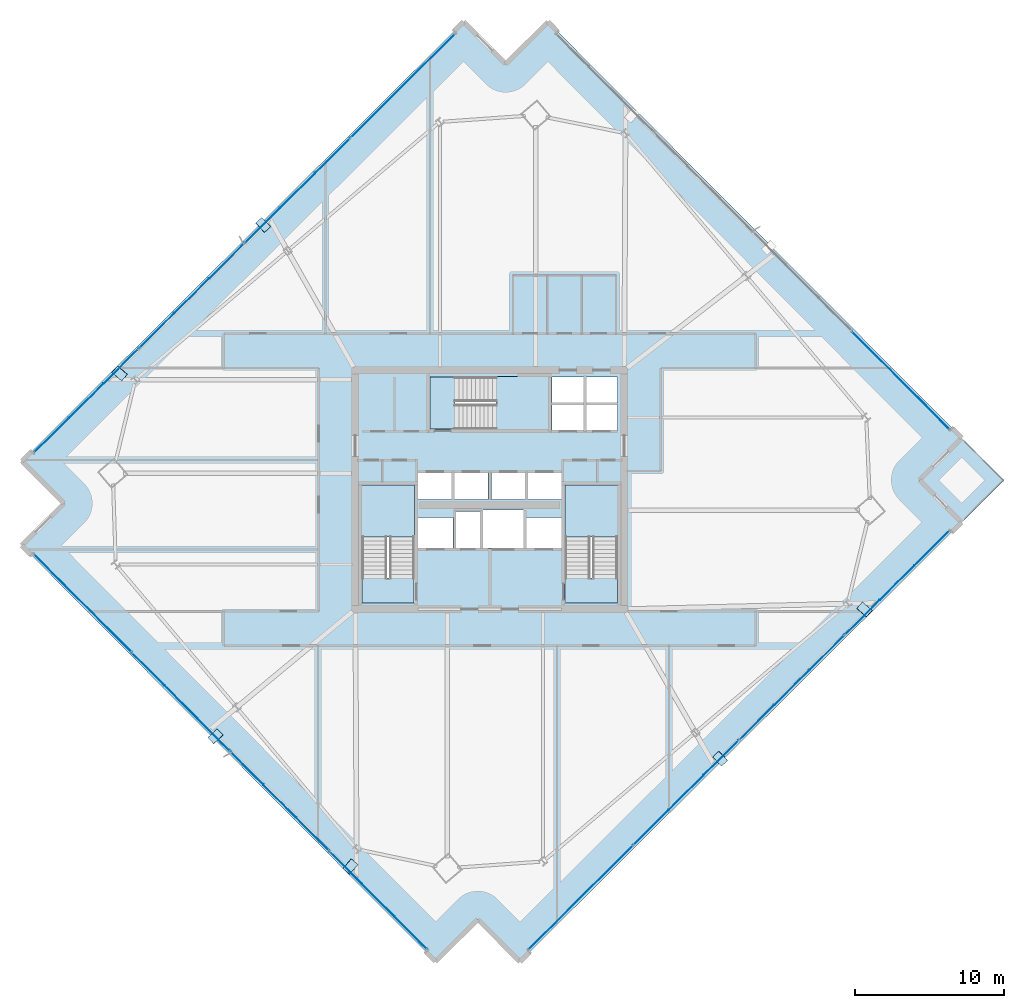
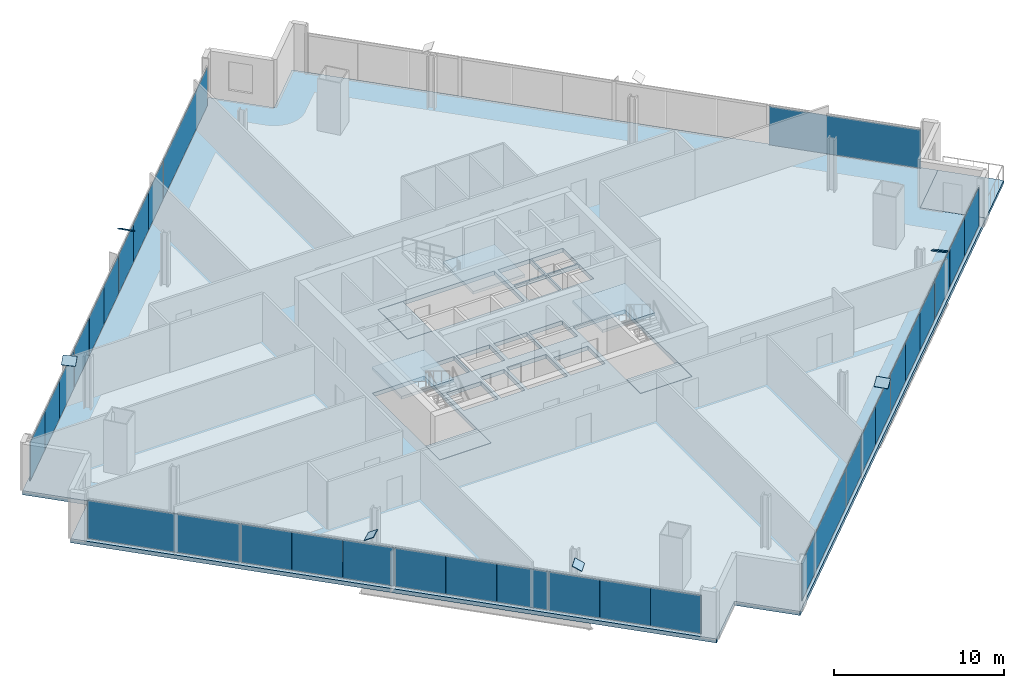
# One storey, part 23 of 32: 37 plates, 8 slabs, 7 elements without a shape of their own.
"""IFC4 building model written with IfcOpenShell, lengths in metres."""

from ifc_helpers import new_model, si_unit, direction, frame, origin, origin_2d, place, context, subcontext, project, spatial, polyline, rectangle, outline, extrude, source, transform, mapped, material, layer, layer_set, type_object, element, aggregate, save


model = new_model("IFC4")

# Units and contexts
model_context = context("Model", 3, precision=1e-05, world=origin(), true_north=direction((0.0, 1.0)))
body_context = subcontext(model_context, "Body", "Model", "MODEL_VIEW")
ifc_project = project(units=[si_unit("LENGTHUNIT", "METRE"), si_unit("AREAUNIT", "SQUARE_METRE"), si_unit("VOLUMEUNIT", "CUBIC_METRE"), si_unit("PLANEANGLEUNIT", "RADIAN"), si_unit("MASSUNIT", "GRAM", prefix="KILO")], contexts=[model_context])

# Site, building, storey
site_placement = place(None, origin())
site = spatial("IfcSite", under=ifc_project, at=site_placement, CompositionType="ELEMENT")
building_placement = place(site_placement, origin())
building = spatial("IfcBuilding", under=site, at=building_placement, Name="Haldenkirk Collegiate Tower", CompositionType="ELEMENT")
storey_placement = place(building_placement, frame((0.0, 0.0, 178.199951171875)))
storey = spatial("IfcBuildingStorey", under=building, at=storey_placement, Name="L44", CompositionType="ELEMENT", Elevation=178.199951171875)

# Slab
ifc_material_1 = material(Name="Concrete f'c 40 MPa", Category="concrete")
ifc_layer_1 = layer(ifc_material_1, 0.2900390625)
ifc_layer_set_1 = layer_set([ifc_layer_1], Name="Concrete f'c 40 MPa")
slab_type_1 = type_object("IfcSlabType", Name="SLB-FLR-290", PredefinedType="FLOOR", material=ifc_layer_set_1)
slab_1_placement = place(storey_placement, frame((0.0, 0.0, -0.2900390625)))
element("IfcSlab", 1, at=slab_1_placement, inside=storey, type_object=slab_type_1, Name="L44 composite structural floor slab", PredefinedType="FLOOR", context=body_context, shape_type="SweptSolid", body=[
    extrude(outline(polyline([(38.02099609375, -5.595458984375), (67.58447265625, 23.813720703125), (64.763427734375, 26.6494140625), (67.59912109375, 29.470458984375), (39.900390625, 57.314697265625), (37.064453125, 54.49365234375), (34.243408203125, 57.32958984375), (4.68017578125, 27.92041015625), (7.501220703125, 25.084716796875), (4.665283203125, 22.263671875), (32.364013671875, -5.58056640625), (35.199951171875, -2.759521484375), (38.02099609375, -5.595458984375)]), holes=[polyline([(27.449951171875, 18.39990234375), (30.949951171875, 18.39990234375), (30.949951171875, 26.300048828125), (27.449951171875, 26.300048828125), (27.449951171875, 18.39990234375)]), polyline([(41.050048828125, 18.39990234375), (44.550048828125, 18.39990234375), (44.550048828125, 26.300048828125), (41.050048828125, 26.300048828125), (41.050048828125, 18.39990234375)]), polyline([(32.0, 30.050048828125), (39.89990234375, 30.050048828125), (39.89990234375, 33.550048828125), (32.0, 33.550048828125), (32.0, 30.050048828125)]), polyline([(33.75, 22.10009765625), (35.35009765625, 22.10009765625), (35.35009765625, 24.550048828125), (33.75, 24.550048828125), (33.75, 22.10009765625)]), polyline([(40.14990234375, 29.949951171875), (42.320068359375, 29.949951171875), (42.320068359375, 31.699951171875), (40.14990234375, 31.699951171875), (40.14990234375, 29.949951171875)]), polyline([(42.419921875, 29.949951171875), (44.550048828125, 29.949951171875), (44.550048828125, 31.699951171875), (42.419921875, 31.699951171875), (42.419921875, 29.949951171875)]), polyline([(40.14990234375, 31.800048828125), (42.320068359375, 31.800048828125), (42.320068359375, 33.550048828125), (40.14990234375, 33.550048828125), (40.14990234375, 31.800048828125)]), polyline([(42.419921875, 31.800048828125), (44.550048828125, 31.800048828125), (44.550048828125, 33.550048828125), (42.419921875, 33.550048828125), (42.419921875, 31.800048828125)]), polyline([(31.199951171875, 25.35009765625), (33.47998046875, 25.35009765625), (33.47998046875, 27.14990234375), (31.199951171875, 27.14990234375), (31.199951171875, 25.35009765625)]), polyline([(33.60009765625, 25.35009765625), (35.8798828125, 25.35009765625), (35.8798828125, 27.14990234375), (33.60009765625, 27.14990234375), (33.60009765625, 25.35009765625)]), polyline([(36.1201171875, 25.35009765625), (38.39990234375, 25.35009765625), (38.39990234375, 27.14990234375), (36.1201171875, 27.14990234375), (36.1201171875, 25.35009765625)]), polyline([(38.52001953125, 25.35009765625), (40.800048828125, 25.35009765625), (40.800048828125, 27.14990234375), (38.52001953125, 27.14990234375), (38.52001953125, 25.35009765625)]), polyline([(31.199951171875, 22.10009765625), (33.550048828125, 22.10009765625), (33.550048828125, 24.14990234375), (31.199951171875, 24.14990234375), (31.199951171875, 22.10009765625)]), polyline([(38.449951171875, 22.10009765625), (40.800048828125, 22.10009765625), (40.800048828125, 24.14990234375), (38.449951171875, 24.14990234375), (38.449951171875, 22.10009765625)]), polyline([(35.550048828125, 22.10009765625), (38.25, 22.10009765625), (38.25, 24.64990234375), (35.550048828125, 24.64990234375), (35.550048828125, 22.10009765625)])]), origin(), (0.0, 0.0, 1.0), 0.2900390625),
])

# Stair, slab
stair_type = type_object("IfcStairType", Name="STR-DOGLEG-1650", PredefinedType="HALF_TURN_STAIR", material=ifc_material_1)
stair_1_placement = place(storey_placement, origin())
stair_1 = element("IfcStair", 2, at=stair_1_placement, inside=storey, type_object=stair_type, Name="L44 Core Exit Stair ST-1", PredefinedType="HALF_TURN_STAIR")
ifc_layer_2 = layer(ifc_material_1, 0.199951171875)
ifc_layer_set_2 = layer_set([ifc_layer_2], Name="Concrete f'c 40 MPa")
slab_type_2 = type_object("IfcSlabType", Name="SLB-LANDING-200", PredefinedType="LANDING", material=ifc_layer_set_2)
slab_2_placement = place(storey_placement, frame((0.0, 0.0, 1.675048828125)))
slab_2 = element("IfcSlab", 3, at=slab_2_placement, type_object=slab_type_2, Name="ST-1 landing 1", PredefinedType="LANDING", context=body_context, shape_type="SweptSolid", body=[
    extrude(outline(polyline([(30.97509765625, 22.824951171875), (27.425048828125, 22.824951171875), (27.425048828125, 26.324951171875), (30.97509765625, 26.324951171875), (30.97509765625, 22.824951171875)])), origin(), (0.0, 0.0, 1.0), 0.199951171875),
])
aggregate(stair_1, [slab_2])

stair_2_placement = place(storey_placement, origin())
stair_2 = element("IfcStair", 4, at=stair_2_placement, inside=storey, type_object=stair_type, Name="L44 Core Exit Stair ST-2", PredefinedType="HALF_TURN_STAIR")
slab_3_placement = place(storey_placement, frame((0.0, 0.0, 1.675048828125)))
slab_3 = element("IfcSlab", 5, at=slab_3_placement, type_object=slab_type_2, Name="ST-2 landing 1", PredefinedType="LANDING", context=body_context, shape_type="SweptSolid", body=[
    extrude(outline(polyline([(44.574951171875, 22.824951171875), (41.02490234375, 22.824951171875), (41.02490234375, 26.324951171875), (44.574951171875, 26.324951171875), (44.574951171875, 22.824951171875)])), origin(), (0.0, 0.0, 1.0), 0.199951171875),
])
aggregate(stair_2, [slab_3])

stair_3_placement = place(storey_placement, origin())
stair_3 = element("IfcStair", 6, at=stair_3_placement, inside=storey, type_object=stair_type, Name="L44 Core Exit Stair ST-3", PredefinedType="HALF_TURN_STAIR")
slab_4_placement = place(storey_placement, frame((0.0, 0.0, 1.675048828125)))
slab_4 = element("IfcSlab", 7, at=slab_4_placement, type_object=slab_type_2, Name="ST-3 landing 1", PredefinedType="LANDING", context=body_context, shape_type="SweptSolid", body=[
    extrude(outline(polyline([(36.425048828125, 30.02490234375), (36.425048828125, 33.574951171875), (39.925048828125, 33.574951171875), (39.925048828125, 30.02490234375), (36.425048828125, 30.02490234375)])), origin(), (0.0, 0.0, 1.0), 0.199951171875),
])
aggregate(stair_3, [slab_4])

# Slabs
ifc_layer_3 = layer(ifc_material_1, 0.25)
ifc_layer_set_3 = layer_set([ifc_layer_3], Name="Concrete f'c 40 MPa")
slab_type_3 = type_object("IfcSlabType", Name="SLB-STAIRLAND-250", PredefinedType="LANDING", material=ifc_layer_set_3)
slab_5_placement = place(storey_placement, frame((0.0, 0.0, -0.25)))
element("IfcSlab", 8, at=slab_5_placement, inside=storey, type_object=slab_type_3, Name="L44 stair ST1 structural floor landing slab", PredefinedType="LANDING", context=body_context, shape_type="SweptSolid", body=[
    extrude(outline(polyline([(27.4599609375, 18.409912109375), (30.93994140625, 18.409912109375), (30.93994140625, 20.080078125), (27.4599609375, 20.080078125), (27.4599609375, 18.409912109375)])), origin(), (0.0, 0.0, 1.0), 0.25),
])
slab_6_placement = place(storey_placement, frame((0.0, 0.0, -0.25)))
element("IfcSlab", 9, at=slab_6_placement, inside=storey, type_object=slab_type_3, Name="L44 stair ST2 structural floor landing slab", PredefinedType="LANDING", context=body_context, shape_type="SweptSolid", body=[
    extrude(outline(polyline([(41.06005859375, 18.409912109375), (44.5400390625, 18.409912109375), (44.5400390625, 20.080078125), (41.06005859375, 20.080078125), (41.06005859375, 18.409912109375)])), origin(), (0.0, 0.0, 1.0), 0.25),
])
slab_7_placement = place(storey_placement, frame((0.0, 0.0, -0.25)))
element("IfcSlab", 10, at=slab_7_placement, inside=storey, type_object=slab_type_3, Name="L44 stair ST3 structural floor landing slab", PredefinedType="LANDING", context=body_context, shape_type="SweptSolid", body=[
    extrude(outline(polyline([(32.010009765625, 30.06005859375), (33.679931640625, 30.06005859375), (33.679931640625, 33.5400390625), (32.010009765625, 33.5400390625), (32.010009765625, 30.06005859375)])), origin(), (0.0, 0.0, 1.0), 0.25),
])
ifc_layer_4 = layer(ifc_material_1, 0.22998046875)
ifc_layer_set_4 = layer_set([ifc_layer_4], Name="Concrete f'c 40 MPa")
slab_type_4 = type_object("IfcSlabType", Name="SLB-TERR-SPIRAL-230", PredefinedType="FLOOR", material=ifc_layer_set_4)
slab_8_placement = place(storey_placement, frame((0.0, 0.0, -0.22998046875)))
element("IfcSlab", 11, at=slab_8_placement, inside=storey, type_object=slab_type_4, Name="L44 spiralling corner terrace slab", PredefinedType="FLOOR", context=body_context, shape_type="SweptSolid", body=[
    extrude(outline(polyline([(67.58447265625, 23.813720703125), (70.420166015625, 26.634765625), (67.59912109375, 29.470458984375), (64.763427734375, 26.6494140625), (67.58447265625, 23.813720703125)])), origin(), (0.0, 0.0, 1.0), 0.22998046875),
])

# Plates
ifc_material_2 = material(Name="Steel ASTM A572 Grade 50", Category="steel")
ifc_layer_5 = layer(ifc_material_2, 0.034912109375)
ifc_layer_set_5 = layer_set([ifc_layer_5], Name="Steel ASTM A572 Grade 50")
plate_type_1 = type_object("IfcPlateType", Name="PLT-CAP-EXT-760X600", PredefinedType="USERDEFINED", material=ifc_layer_set_5)
shared_shape_1 = source(origin(), body_context, "Body", "SweptSolid", [
    extrude(rectangle(XDim=0.860107421875, YDim=0.659912109375, at=origin_2d()), origin(), (0.0, 0.0, 1.0), 0.034912109375),
])
for number, where, z_axis, x_axis, name in (
    (12, (51.434326171875, 8.001708984375, 3.447509765625), (-0.399637969871, -0.376058971649, 0.835983936975), (0.685296655822, -0.728264027341, 4.10393e-07), "Perimeter Mega Brace Z3 L42-L44 SL end cap plate 2"),
    (13, (61.068603515625, 17.978271484375, 3.447509765625), (0.327669864224, 0.378433843189, 0.865690641285), (-0.755991865251, 0.654581010781, 1.66633e-07), "Perimeter Mega Brace Z3 L42-L44 SR end cap plate 2"),
    (14, (20.818115234375, 43.719482421875, 3.447509765625), (0.397458172423, 0.373980162238, 0.837953363516), (-0.685269846632, 0.728289253866, 4.38619e-07), "Perimeter Mega Brace Z3 L42-L44 NL end cap plate 2"),
    (15, (11.23193359375, 33.792724609375, 3.447509765625), (-0.327345081791, -0.377839094408, 0.866073216399), (0.755803123002, -0.654798930406, -2.30658e-07), "Perimeter Mega Brace Z3 L42-L44 NR end cap plate 2"),
    (16, (17.646240234375, 9.484130859375, 3.447509765625), (-0.347803868464, 0.372158859254, 0.860540674553), (-0.730609021231, -0.682796058935, -4.8252e-08), "Perimeter Mega Brace Z3 L42-L44 WL end cap plate 2"),
    (17, (26.658447265625, 0.78125, 3.447509765625), (0.351793908045, -0.302355920968, 0.885901768436), (0.65180839718, 0.758383684797, -4.80727e-07), "Perimeter Mega Brace Z3 L42-L44 WR end cap plate 2"),
):
    element("IfcPlate", number, at=place(storey_placement, frame(where, z_axis=z_axis, x_axis=x_axis)), inside=storey, type_object=plate_type_1, Name=name, ObjectType="END CAP PLATE", PredefinedType="USERDEFINED", context=body_context, shape_type="MappedRepresentation", body=[
        mapped(shared_shape_1, transform((0.0, 0.0, 0.0), x_axis=(1.0, 0.0, 0.0), y_axis=(0.0, 1.0, 0.0), z_axis=(0.0, 0.0, 1.0), scale=1.0)),
    ])

# Curtain wall, plates
ifc_material_3 = material(Name="Anodised architectural bronze aluminium", Category="aluminium")
curtain_wall_type_1 = type_object("IfcCurtainWallType", Name="CW-SYS2-CONCAVE", PredefinedType="USERDEFINED", material=ifc_material_3)
curtain_wall_1_placement = place(storey_placement, origin())
curtain_wall_1 = element("IfcCurtainWall", 18, at=curtain_wall_1_placement, inside=storey, type_object=curtain_wall_type_1, Name="L44 South concave recessed bronze-anodised curtain wall", ObjectType="UNITISED CURTAIN WALL", PredefinedType="USERDEFINED")
ifc_material_4 = material(Name="Low-E argon triple insulating glass", Category="glass")
ifc_layer_6 = layer(ifc_material_4, 0.0419921875)
ifc_layer_set_6 = layer_set([ifc_layer_6], Name="Low-E argon triple insulating glass")
plate_type_2 = type_object("IfcPlateType", Name="CW-PNL-02", PredefinedType="CURTAIN_PANEL", material=ifc_layer_set_6)
shared_shape_2 = source(origin(), body_context, "Body", "SweptSolid", [
    extrude(rectangle(XDim=9.862548828125, YDim=0.0419921875, at=origin_2d()), origin(), (0.0, 0.0, 1.0), 2.760986328125),
])
plate_1_placement = place(storey_placement, frame((42.081298828125, -1.302490234375, 0.0751953125), z_axis=(0.0, 0.0, 1.0), x_axis=(-0.708953983805, -0.705254740393, 0.0)))
plate_1 = element("IfcPlate", 19, at=plate_1_placement, type_object=plate_type_2, Name="CW-02 panel 4.1", PredefinedType="CURTAIN_PANEL", context=body_context, shape_type="MappedRepresentation", body=[
    mapped(shared_shape_2, transform((0.0, 0.0, 0.0), x_axis=(1.0, 0.0, 0.0), y_axis=(0.0, 1.0, 0.0), z_axis=(0.0, 0.0, 1.0), scale=1.0)),
])
ifc_material_5 = material(Name="Bronze-anodised insulated aluminium spandrel panel", Category="aluminium")
ifc_layer_7 = layer(ifc_material_5, 0.0419921875)
ifc_layer_set_7 = layer_set([ifc_layer_7], Name="Bronze-anodised insulated aluminium spandrel panel")
plate_type_3 = type_object("IfcPlateType", Name="CW-SPD-02", PredefinedType="CURTAIN_PANEL", material=ifc_layer_set_7)
shared_shape_3 = source(origin(), body_context, "Body", "SweptSolid", [
    extrude(rectangle(XDim=3.28759765625, YDim=0.0419921875, at=origin_2d()), origin(), (0.0, 0.0, 1.0), 2.760986328125),
])
plate_2_placement = place(storey_placement, frame((58.5556640625, 15.0859375, 0.0751953125), z_axis=(0.0, 0.0, 1.0), x_axis=(-0.708953983805, -0.705254740393, 0.0)))
plate_2 = element("IfcPlate", 20, at=plate_2_placement, type_object=plate_type_3, Name="CW-02 spandrel panel 2.1a", PredefinedType="CURTAIN_PANEL", context=body_context, shape_type="MappedRepresentation", body=[
    mapped(shared_shape_3, transform((0.0, 0.0, 0.0), x_axis=(1.0, 0.0, 0.0), y_axis=(0.0, 1.0, 0.0), z_axis=(0.0, 0.0, 1.0), scale=1.0)),
])
plate_3_placement = place(storey_placement, frame((53.86767578125, 10.422607421875, 0.0751953125), z_axis=(0.0, 0.0, 1.0), x_axis=(-0.708953983805, -0.705254740393, 0.0)))
plate_3 = element("IfcPlate", 21, at=plate_3_placement, type_object=plate_type_3, Name="CW-02 spandrel panel 2.1c", PredefinedType="CURTAIN_PANEL", context=body_context, shape_type="MappedRepresentation", body=[
    mapped(shared_shape_3, transform((0.0, 0.0, 0.0), x_axis=(1.0, 0.0, 0.0), y_axis=(0.0, 1.0, 0.0), z_axis=(0.0, 0.0, 1.0), scale=1.0)),
])
plate_4_placement = place(storey_placement, frame((51.48388671875, 8.051025390625, 0.0751953125), z_axis=(0.0, 0.0, 1.0), x_axis=(-0.708953983805, -0.705254740393, 0.0)))
plate_4 = element("IfcPlate", 22, at=plate_4_placement, type_object=plate_type_3, Name="CW-02 spandrel panel 3.1a", PredefinedType="CURTAIN_PANEL", context=body_context, shape_type="MappedRepresentation", body=[
    mapped(shared_shape_3, transform((0.0, 0.0, 0.0), x_axis=(1.0, 0.0, 0.0), y_axis=(0.0, 1.0, 0.0), z_axis=(0.0, 0.0, 1.0), scale=1.0)),
])
plate_5_placement = place(storey_placement, frame((46.7958984375, 3.387451171875, 0.0751953125), z_axis=(0.0, 0.0, 1.0), x_axis=(-0.708953983805, -0.705254740393, 0.0)))
plate_5 = element("IfcPlate", 23, at=plate_5_placement, type_object=plate_type_2, Name="CW-02 panel 3.1c", PredefinedType="CURTAIN_PANEL", context=body_context, shape_type="MappedRepresentation", body=[
    mapped(shared_shape_3, transform((0.0, 0.0, 0.0), x_axis=(1.0, 0.0, 0.0), y_axis=(0.0, 1.0, 0.0), z_axis=(0.0, 0.0, 1.0), scale=1.0)),
])
shared_shape_4 = source(origin(), body_context, "Body", "SweptSolid", [
    extrude(rectangle(XDim=3.27490234375, YDim=0.0419921875, at=origin_2d()), origin(), (0.0, 0.0, 1.0), 2.760986328125),
])
plate_6_placement = place(storey_placement, frame((65.605224609375, 22.098876953125, 0.0751953125), z_axis=(0.0, 0.0, 1.0), x_axis=(-0.708953983805, -0.705254740393, 0.0)))
plate_6 = element("IfcPlate", 24, at=plate_6_placement, type_object=plate_type_2, Name="CW-02 panel 1.1a", PredefinedType="CURTAIN_PANEL", context=body_context, shape_type="MappedRepresentation", body=[
    mapped(shared_shape_4, transform((0.0, 0.0, 0.0), x_axis=(1.0, 0.0, 0.0), y_axis=(0.0, 1.0, 0.0), z_axis=(0.0, 0.0, 1.0), scale=1.0)),
])
plate_7_placement = place(storey_placement, frame((60.93505859375, 17.452880859375, 0.0751953125), z_axis=(0.0, 0.0, 1.0), x_axis=(-0.708953983805, -0.705254740393, 0.0)))
plate_7 = element("IfcPlate", 25, at=plate_7_placement, type_object=plate_type_3, Name="CW-02 spandrel panel 1.1c", PredefinedType="CURTAIN_PANEL", context=body_context, shape_type="MappedRepresentation", body=[
    mapped(shared_shape_4, transform((0.0, 0.0, 0.0), x_axis=(1.0, 0.0, 0.0), y_axis=(0.0, 1.0, 0.0), z_axis=(0.0, 0.0, 1.0), scale=1.0)),
])
plate_8_placement = place(storey_placement, frame((56.211669921875, 12.754150390625, 0.0751953125), z_axis=(0.0, 0.0, 1.0), x_axis=(-0.708953983805, -0.705254740393, 0.0)))
plate_8 = element("IfcPlate", 26, at=plate_8_placement, type_object=plate_type_2, Name="CW-02 panel 2.1b", PredefinedType="CURTAIN_PANEL", context=body_context, shape_type="MappedRepresentation", body=[
    mapped(shared_shape_4, transform((0.0, 0.0, 0.0), x_axis=(1.0, 0.0, 0.0), y_axis=(0.0, 1.0, 0.0), z_axis=(0.0, 0.0, 1.0), scale=1.0)),
])
plate_9_placement = place(storey_placement, frame((49.139892578125, 5.71923828125, 0.0751953125), z_axis=(0.0, 0.0, 1.0), x_axis=(-0.708953983805, -0.705254740393, 0.0)))
plate_9 = element("IfcPlate", 27, at=plate_9_placement, type_object=plate_type_2, Name="CW-02 panel 3.1b", PredefinedType="CURTAIN_PANEL", context=body_context, shape_type="MappedRepresentation", body=[
    mapped(shared_shape_4, transform((0.0, 0.0, 0.0), x_axis=(1.0, 0.0, 0.0), y_axis=(0.0, 1.0, 0.0), z_axis=(0.0, 0.0, 1.0), scale=1.0)),
])

# Curtain wall, plate
curtain_wall_type_2 = type_object("IfcCurtainWallType", Name="CW-SYS1-CONVEX-LOW", PredefinedType="USERDEFINED", material=ifc_material_3)
curtain_wall_2_placement = place(storey_placement, origin())
curtain_wall_2 = element("IfcCurtainWall", 28, at=curtain_wall_2_placement, inside=storey, type_object=curtain_wall_type_2, Name="L44 Lower tower convex bronze-framed unitised curtain wall", ObjectType="UNITISED CURTAIN WALL", PredefinedType="USERDEFINED")
ifc_layer_8 = layer(ifc_material_4, 0.0439453125)
ifc_layer_set_8 = layer_set([ifc_layer_8], Name="Low-E argon triple insulating glass")
plate_type_4 = type_object("IfcPlateType", Name="CW-PNL-1A", PredefinedType="CURTAIN_PANEL", material=ifc_layer_set_8)
shared_shape_5 = source(origin(), body_context, "Body", "SweptSolid", [
    extrude(rectangle(XDim=9.248779296875, YDim=0.0439453125, at=origin_2d()), origin(), (0.0, 0.0, 1.0), 2.7509765625),
])
plate_10_placement = place(storey_placement, frame((63.51904296875, 33.31689453125, 0.080078125), z_axis=(0.0, 0.0, 1.0), x_axis=(0.705255127772, -0.708953598447, 0.0)))
plate_10 = element("IfcPlate", 29, at=plate_10_placement, type_object=plate_type_4, Name="CW-1A panel 4.1", PredefinedType="CURTAIN_PANEL", context=body_context, shape_type="MappedRepresentation", body=[
    mapped(shared_shape_5, transform((0.0, 0.0, 0.0), x_axis=(1.0, 0.0, 0.0), y_axis=(0.0, 1.0, 0.0), z_axis=(0.0, 0.0, 1.0), scale=1.0)),
])
aggregate(curtain_wall_2, [plate_10])

# Curtain wall, plates
curtain_wall_3_placement = place(storey_placement, origin())
curtain_wall_3 = element("IfcCurtainWall", 30, at=curtain_wall_3_placement, inside=storey, type_object=curtain_wall_type_2, Name="L44 Lower tower convex bronze-framed unitised curtain wall", ObjectType="UNITISED CURTAIN WALL", PredefinedType="USERDEFINED")
plate_11_placement = place(storey_placement, frame((8.745361328125, 18.417236328125, 0.080078125), z_axis=(0.0, 0.0, 1.0), x_axis=(-0.705255127772, 0.708953598447, 0.0)))
plate_11 = element("IfcPlate", 31, at=plate_11_placement, type_object=plate_type_4, Name="CW-1A panel 4.1", PredefinedType="CURTAIN_PANEL", context=body_context, shape_type="MappedRepresentation", body=[
    mapped(shared_shape_5, transform((0.0, 0.0, 0.0), x_axis=(1.0, 0.0, 0.0), y_axis=(0.0, 1.0, 0.0), z_axis=(0.0, 0.0, 1.0), scale=1.0)),
])
ifc_layer_9 = layer(ifc_material_5, 0.0439453125)
ifc_layer_set_9 = layer_set([ifc_layer_9], Name="Bronze-anodised insulated aluminium spandrel panel")
plate_type_5 = type_object("IfcPlateType", Name="CW-SPD-1A", PredefinedType="CURTAIN_PANEL", material=ifc_layer_set_9)
shared_shape_6 = source(origin(), body_context, "Body", "SweptSolid", [
    extrude(rectangle(XDim=3.083740234375, YDim=0.0439453125, at=origin_2d()), origin(), (0.0, 0.0, 1.0), 2.7509765625),
])
plate_12_placement = place(storey_placement, frame((24.134033203125, 2.947998046875, 0.080078125), z_axis=(0.0, 0.0, 1.0), x_axis=(-0.705255127772, 0.708953598447, 0.0)))
plate_12 = element("IfcPlate", 32, at=plate_12_placement, type_object=plate_type_5, Name="CW-1A spandrel panel 2.1a", PredefinedType="CURTAIN_PANEL", context=body_context, shape_type="MappedRepresentation", body=[
    mapped(shared_shape_6, transform((0.0, 0.0, 0.0), x_axis=(1.0, 0.0, 0.0), y_axis=(0.0, 1.0, 0.0), z_axis=(0.0, 0.0, 1.0), scale=1.0)),
])
plate_13_placement = place(storey_placement, frame((19.7578125, 7.346923828125, 0.080078125), z_axis=(0.0, 0.0, 1.0), x_axis=(-0.705255127772, 0.708953598447, 0.0)))
plate_13 = element("IfcPlate", 33, at=plate_13_placement, type_object=plate_type_5, Name="CW-1A spandrel panel 2.1c", PredefinedType="CURTAIN_PANEL", context=body_context, shape_type="MappedRepresentation", body=[
    mapped(shared_shape_6, transform((0.0, 0.0, 0.0), x_axis=(1.0, 0.0, 0.0), y_axis=(0.0, 1.0, 0.0), z_axis=(0.0, 0.0, 1.0), scale=1.0)),
])
plate_14_placement = place(storey_placement, frame((17.526611328125, 9.58984375, 0.080078125), z_axis=(0.0, 0.0, 1.0), x_axis=(-0.705255127772, 0.708953598447, 0.0)))
plate_14 = element("IfcPlate", 34, at=plate_14_placement, type_object=plate_type_5, Name="CW-1A spandrel panel 3.1a", PredefinedType="CURTAIN_PANEL", context=body_context, shape_type="MappedRepresentation", body=[
    mapped(shared_shape_6, transform((0.0, 0.0, 0.0), x_axis=(1.0, 0.0, 0.0), y_axis=(0.0, 1.0, 0.0), z_axis=(0.0, 0.0, 1.0), scale=1.0)),
])
plate_15_placement = place(storey_placement, frame((13.150634765625, 13.989013671875, 0.080078125), z_axis=(0.0, 0.0, 1.0), x_axis=(-0.705255127772, 0.708953598447, 0.0)))
plate_15 = element("IfcPlate", 35, at=plate_15_placement, type_object=plate_type_4, Name="CW-1A panel 3.1c", PredefinedType="CURTAIN_PANEL", context=body_context, shape_type="MappedRepresentation", body=[
    mapped(shared_shape_6, transform((0.0, 0.0, 0.0), x_axis=(1.0, 0.0, 0.0), y_axis=(0.0, 1.0, 0.0), z_axis=(0.0, 0.0, 1.0), scale=1.0)),
])
shared_shape_7 = source(origin(), body_context, "Body", "SweptSolid", [
    extrude(rectangle(XDim=3.0712890625, YDim=0.0439453125, at=origin_2d()), origin(), (0.0, 0.0, 1.0), 2.7509765625),
])
plate_16_placement = place(storey_placement, frame((21.946044921875, 5.1474609375, 0.080078125), z_axis=(0.0, 0.0, 1.0), x_axis=(-0.705255127772, 0.708953598447, 0.0)))
plate_16 = element("IfcPlate", 36, at=plate_16_placement, type_object=plate_type_4, Name="CW-1A panel 2.1b", PredefinedType="CURTAIN_PANEL", context=body_context, shape_type="MappedRepresentation", body=[
    mapped(shared_shape_7, transform((0.0, 0.0, 0.0), x_axis=(1.0, 0.0, 0.0), y_axis=(0.0, 1.0, 0.0), z_axis=(0.0, 0.0, 1.0), scale=1.0)),
])
plate_17_placement = place(storey_placement, frame((15.338623046875, 11.789306640625, 0.080078125), z_axis=(0.0, 0.0, 1.0), x_axis=(-0.705255127772, 0.708953598447, 0.0)))
plate_17 = element("IfcPlate", 37, at=plate_17_placement, type_object=plate_type_4, Name="CW-1A panel 3.1b", PredefinedType="CURTAIN_PANEL", context=body_context, shape_type="MappedRepresentation", body=[
    mapped(shared_shape_7, transform((0.0, 0.0, 0.0), x_axis=(1.0, 0.0, 0.0), y_axis=(0.0, 1.0, 0.0), z_axis=(0.0, 0.0, 1.0), scale=1.0)),
])

curtain_wall_4_placement = place(storey_placement, origin())
curtain_wall_4 = element("IfcCurtainWall", 38, at=curtain_wall_4_placement, inside=storey, type_object=curtain_wall_type_2, Name="L44 Lower tower convex bronze-framed unitised curtain wall", ObjectType="UNITISED CURTAIN WALL", PredefinedType="USERDEFINED")
shared_shape_8 = source(origin(), body_context, "Body", "SweptSolid", [
    extrude(rectangle(XDim=9.85498046875, YDim=0.0439453125, at=origin_2d()), origin(), (0.0, 0.0, 1.0), 2.7509765625),
])
plate_18_placement = place(storey_placement, frame((30.18212890625, 53.03564453125, 0.080078125), z_axis=(0.0, 0.0, 1.0), x_axis=(0.708953990342, 0.705254733822, 0.0)))
plate_18 = element("IfcPlate", 39, at=plate_18_placement, type_object=plate_type_4, Name="CW-1A panel 4.1", PredefinedType="CURTAIN_PANEL", context=body_context, shape_type="MappedRepresentation", body=[
    mapped(shared_shape_8, transform((0.0, 0.0, 0.0), x_axis=(1.0, 0.0, 0.0), y_axis=(0.0, 1.0, 0.0), z_axis=(0.0, 0.0, 1.0), scale=1.0)),
])
shared_shape_9 = source(origin(), body_context, "Body", "SweptSolid", [
    extrude(rectangle(XDim=3.285888671875, YDim=0.0439453125, at=origin_2d()), origin(), (0.0, 0.0, 1.0), 2.7509765625),
])
plate_19_placement = place(storey_placement, frame((13.7099609375, 36.6494140625, 0.080078125), z_axis=(0.0, 0.0, 1.0), x_axis=(0.708953990342, 0.705254733822, 0.0)))
plate_19 = element("IfcPlate", 40, at=plate_19_placement, type_object=plate_type_5, Name="CW-1A spandrel panel 2.1a", PredefinedType="CURTAIN_PANEL", context=body_context, shape_type="MappedRepresentation", body=[
    mapped(shared_shape_9, transform((0.0, 0.0, 0.0), x_axis=(1.0, 0.0, 0.0), y_axis=(0.0, 1.0, 0.0), z_axis=(0.0, 0.0, 1.0), scale=1.0)),
])
plate_20_placement = place(storey_placement, frame((18.3955078125, 41.310546875, 0.080078125), z_axis=(0.0, 0.0, 1.0), x_axis=(0.708953990342, 0.705254733822, 0.0)))
plate_20 = element("IfcPlate", 41, at=plate_20_placement, type_object=plate_type_5, Name="CW-1A spandrel panel 2.1c", PredefinedType="CURTAIN_PANEL", context=body_context, shape_type="MappedRepresentation", body=[
    mapped(shared_shape_9, transform((0.0, 0.0, 0.0), x_axis=(1.0, 0.0, 0.0), y_axis=(0.0, 1.0, 0.0), z_axis=(0.0, 0.0, 1.0), scale=1.0)),
])
plate_21_placement = place(storey_placement, frame((20.78173828125, 43.684326171875, 0.080078125), z_axis=(0.0, 0.0, 1.0), x_axis=(0.708953990342, 0.705254733822, 0.0)))
plate_21 = element("IfcPlate", 42, at=plate_21_placement, type_object=plate_type_5, Name="CW-1A spandrel panel 3.1a", PredefinedType="CURTAIN_PANEL", context=body_context, shape_type="MappedRepresentation", body=[
    mapped(shared_shape_9, transform((0.0, 0.0, 0.0), x_axis=(1.0, 0.0, 0.0), y_axis=(0.0, 1.0, 0.0), z_axis=(0.0, 0.0, 1.0), scale=1.0)),
])
plate_22_placement = place(storey_placement, frame((25.46728515625, 48.345458984375, 0.080078125), z_axis=(0.0, 0.0, 1.0), x_axis=(0.708953990342, 0.705254733822, 0.0)))
plate_22 = element("IfcPlate", 43, at=plate_22_placement, type_object=plate_type_4, Name="CW-1A panel 3.1c", PredefinedType="CURTAIN_PANEL", context=body_context, shape_type="MappedRepresentation", body=[
    mapped(shared_shape_9, transform((0.0, 0.0, 0.0), x_axis=(1.0, 0.0, 0.0), y_axis=(0.0, 1.0, 0.0), z_axis=(0.0, 0.0, 1.0), scale=1.0)),
])
shared_shape_10 = source(origin(), body_context, "Body", "SweptSolid", [
    extrude(rectangle(XDim=3.273193359375, YDim=0.0439453125, at=origin_2d()), origin(), (0.0, 0.0, 1.0), 2.7509765625),
])
plate_23_placement = place(storey_placement, frame((16.052734375, 38.97998046875, 0.080078125), z_axis=(0.0, 0.0, 1.0), x_axis=(0.708953990342, 0.705254733822, 0.0)))
plate_23 = element("IfcPlate", 44, at=plate_23_placement, type_object=plate_type_4, Name="CW-1A panel 2.1b", PredefinedType="CURTAIN_PANEL", context=body_context, shape_type="MappedRepresentation", body=[
    mapped(shared_shape_10, transform((0.0, 0.0, 0.0), x_axis=(1.0, 0.0, 0.0), y_axis=(0.0, 1.0, 0.0), z_axis=(0.0, 0.0, 1.0), scale=1.0)),
])
plate_24_placement = place(storey_placement, frame((23.12451171875, 46.014892578125, 0.080078125), z_axis=(0.0, 0.0, 1.0), x_axis=(0.708953990342, 0.705254733822, 0.0)))
plate_24 = element("IfcPlate", 45, at=plate_24_placement, type_object=plate_type_4, Name="CW-1A panel 3.1b", PredefinedType="CURTAIN_PANEL", context=body_context, shape_type="MappedRepresentation", body=[
    mapped(shared_shape_10, transform((0.0, 0.0, 0.0), x_axis=(1.0, 0.0, 0.0), y_axis=(0.0, 1.0, 0.0), z_axis=(0.0, 0.0, 1.0), scale=1.0)),
])

# Plate
shared_shape_11 = source(origin(), body_context, "Body", "SweptSolid", [
    extrude(rectangle(XDim=3.262451171875, YDim=0.0419921875, at=origin_2d()), origin(), (0.0, 0.0, 1.0), 2.760986328125),
])
plate_25_placement = place(storey_placement, frame((63.270263671875, 19.77587890625, 0.0751953125), z_axis=(0.0, 0.0, 1.0), x_axis=(-0.708953983805, -0.705254740393, 0.0)))
plate_25 = element("IfcPlate", 46, at=plate_25_placement, type_object=plate_type_2, Name="CW-02 panel 1.1b", PredefinedType="CURTAIN_PANEL", context=body_context, shape_type="MappedRepresentation", body=[
    mapped(shared_shape_11, transform((0.0, 0.0, 0.0), x_axis=(1.0, 0.0, 0.0), y_axis=(0.0, 1.0, 0.0), z_axis=(0.0, 0.0, 1.0), scale=1.0)),
])

aggregate(curtain_wall_1, [plate_6, plate_25, plate_7, plate_2, plate_8, plate_3, plate_4, plate_9, plate_5, plate_1])

shared_shape_12 = source(origin(), body_context, "Body", "SweptSolid", [
    extrude(rectangle(XDim=3.0703125, YDim=0.0439453125, at=origin_2d()), origin(), (0.0, 0.0, 1.0), 2.7509765625),
])
plate_26_placement = place(storey_placement, frame((30.718017578125, -3.67041015625, 0.080078125), z_axis=(0.0, 0.0, 1.0), x_axis=(-0.705255127772, 0.708953598447, 0.0)))
plate_26 = element("IfcPlate", 47, at=plate_26_placement, type_object=plate_type_4, Name="CW-1A panel 1.1a", PredefinedType="CURTAIN_PANEL", context=body_context, shape_type="MappedRepresentation", body=[
    mapped(shared_shape_12, transform((0.0, 0.0, 0.0), x_axis=(1.0, 0.0, 0.0), y_axis=(0.0, 1.0, 0.0), z_axis=(0.0, 0.0, 1.0), scale=1.0)),
])

plate_27_placement = place(storey_placement, frame((26.360595703125, 0.709716796875, 0.080078125), z_axis=(0.0, 0.0, 1.0), x_axis=(-0.705255127772, 0.708953598447, 0.0)))
plate_27 = element("IfcPlate", 48, at=plate_27_placement, type_object=plate_type_5, Name="CW-1A spandrel panel 1.1c", PredefinedType="CURTAIN_PANEL", context=body_context, shape_type="MappedRepresentation", body=[
    mapped(shared_shape_12, transform((0.0, 0.0, 0.0), x_axis=(1.0, 0.0, 0.0), y_axis=(0.0, 1.0, 0.0), z_axis=(0.0, 0.0, 1.0), scale=1.0)),
])

shared_shape_13 = source(origin(), body_context, "Body", "SweptSolid", [
    extrude(rectangle(XDim=3.057861328125, YDim=0.0439453125, at=origin_2d()), origin(), (0.0, 0.0, 1.0), 2.7509765625),
])
plate_28_placement = place(storey_placement, frame((28.539306640625, -1.48046875, 0.080078125), z_axis=(0.0, 0.0, 1.0), x_axis=(-0.705255127772, 0.708953598447, 0.0)))
plate_28 = element("IfcPlate", 49, at=plate_28_placement, type_object=plate_type_4, Name="CW-1A panel 1.1b", PredefinedType="CURTAIN_PANEL", context=body_context, shape_type="MappedRepresentation", body=[
    mapped(shared_shape_13, transform((0.0, 0.0, 0.0), x_axis=(1.0, 0.0, 0.0), y_axis=(0.0, 1.0, 0.0), z_axis=(0.0, 0.0, 1.0), scale=1.0)),
])

aggregate(curtain_wall_3, [plate_26, plate_28, plate_27, plate_12, plate_16, plate_13, plate_14, plate_17, plate_15, plate_11])

shared_shape_14 = source(origin(), body_context, "Body", "SweptSolid", [
    extrude(rectangle(XDim=3.2724609375, YDim=0.0439453125, at=origin_2d()), origin(), (0.0, 0.0, 1.0), 2.7509765625),
])
plate_29_placement = place(storey_placement, frame((6.661865234375, 29.637939453125, 0.080078125), z_axis=(0.0, 0.0, 1.0), x_axis=(0.708953990342, 0.705254733822, 0.0)))
plate_29 = element("IfcPlate", 50, at=plate_29_placement, type_object=plate_type_4, Name="CW-1A panel 1.1a", PredefinedType="CURTAIN_PANEL", context=body_context, shape_type="MappedRepresentation", body=[
    mapped(shared_shape_14, transform((0.0, 0.0, 0.0), x_axis=(1.0, 0.0, 0.0), y_axis=(0.0, 1.0, 0.0), z_axis=(0.0, 0.0, 1.0), scale=1.0)),
])

plate_30_placement = place(storey_placement, frame((11.32861328125, 34.2802734375, 0.080078125), z_axis=(0.0, 0.0, 1.0), x_axis=(0.708953990342, 0.705254733822, 0.0)))
plate_30 = element("IfcPlate", 51, at=plate_30_placement, type_object=plate_type_5, Name="CW-1A spandrel panel 1.1c", PredefinedType="CURTAIN_PANEL", context=body_context, shape_type="MappedRepresentation", body=[
    mapped(shared_shape_14, transform((0.0, 0.0, 0.0), x_axis=(1.0, 0.0, 0.0), y_axis=(0.0, 1.0, 0.0), z_axis=(0.0, 0.0, 1.0), scale=1.0)),
])

shared_shape_15 = source(origin(), body_context, "Body", "SweptSolid", [
    extrude(rectangle(XDim=3.260009765625, YDim=0.0439453125, at=origin_2d()), origin(), (0.0, 0.0, 1.0), 2.7509765625),
])
plate_31_placement = place(storey_placement, frame((8.9951171875, 31.959228515625, 0.080078125), z_axis=(0.0, 0.0, 1.0), x_axis=(0.708953990342, 0.705254733822, 0.0)))
plate_31 = element("IfcPlate", 52, at=plate_31_placement, type_object=plate_type_4, Name="CW-1A panel 1.1b", PredefinedType="CURTAIN_PANEL", context=body_context, shape_type="MappedRepresentation", body=[
    mapped(shared_shape_15, transform((0.0, 0.0, 0.0), x_axis=(1.0, 0.0, 0.0), y_axis=(0.0, 1.0, 0.0), z_axis=(0.0, 0.0, 1.0), scale=1.0)),
])

aggregate(curtain_wall_4, [plate_29, plate_31, plate_30, plate_19, plate_23, plate_20, plate_21, plate_24, plate_22, plate_18])

save(model, "model.ifc")
